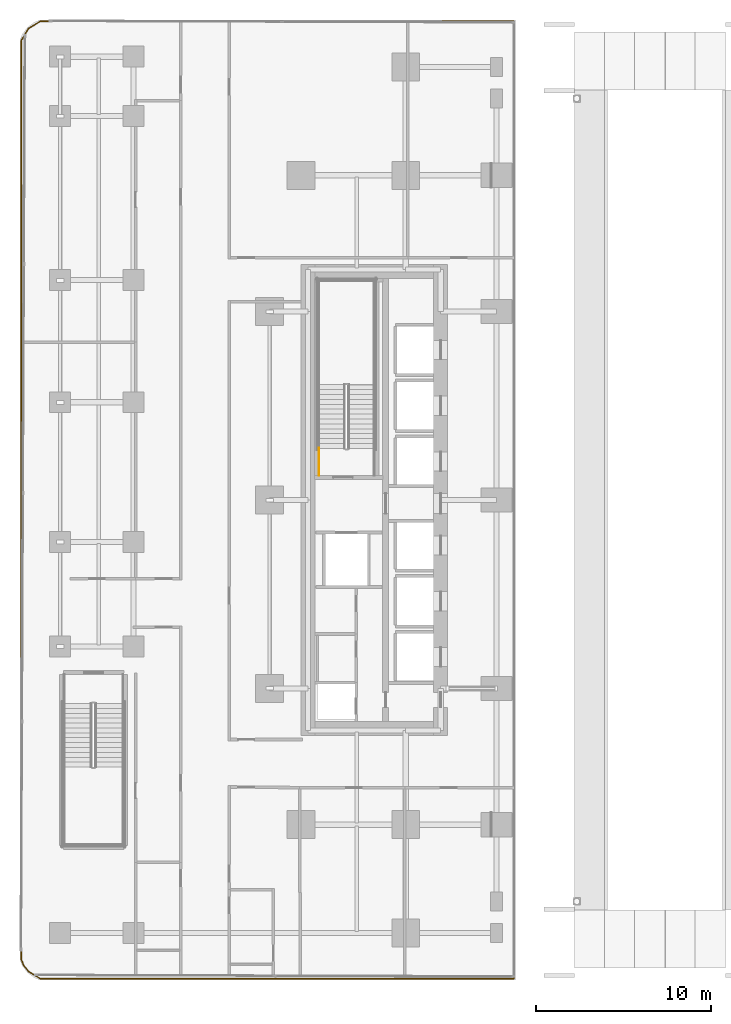
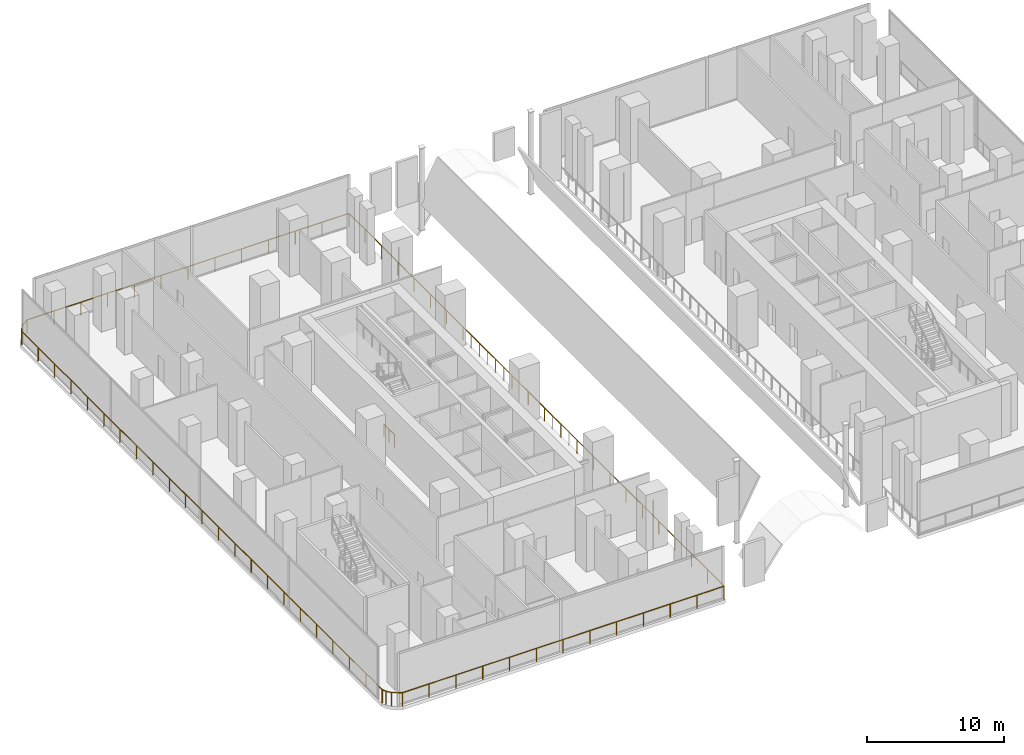
# One storey, part 22 of 31: 3 railings.
"""IFC4 building model written with IfcOpenShell, lengths in metres."""

from ifc_helpers import new_model, si_unit, direction, frame, origin, origin_2d, place, context, subcontext, project, spatial, circle, extrude, material, type_object, element, save


model = new_model("IFC4")

# Units and contexts
model_context = context("Model", 3, precision=1e-05, world=origin(), true_north=direction((0.0, 1.0)))
body_context = subcontext(model_context, "Body", "Model", "MODEL_VIEW")
ifc_project = project(units=[si_unit("LENGTHUNIT", "METRE"), si_unit("AREAUNIT", "SQUARE_METRE"), si_unit("VOLUMEUNIT", "CUBIC_METRE"), si_unit("PLANEANGLEUNIT", "RADIAN"), si_unit("MASSUNIT", "GRAM", prefix="KILO")], contexts=[model_context])

# Site, building, storey
site_placement = place(None, origin())
site = spatial("IfcSite", under=ifc_project, at=site_placement, CompositionType="ELEMENT")
building_placement = place(site_placement, origin())
building = spatial("IfcBuilding", under=site, at=building_placement, Name="Khairoan Windgate Tower", CompositionType="ELEMENT")
storey_placement = place(building_placement, frame((0.0, 0.0, 11.0)))
storey = spatial("IfcBuildingStorey", under=building, at=storey_placement, Name="L03", CompositionType="ELEMENT", Elevation=11.0)

# Railings
ifc_material_1 = material(Name="Anodised Bronze Aluminium 6063-T6", Category="aluminium")
railing_type_1 = type_object("IfcRailingType", Name="Aerodynamic Bronze-and-Glass Balustrade BAL-1200", PredefinedType="BALUSTRADE", material=ifc_material_1)
railing_1_placement = place(storey_placement, frame((-36.406982421875, 26.36474609375, 0.0)))
element("IfcRailing", 1, at=railing_1_placement, inside=storey, type_object=railing_type_1, Name="L03 W Wing Perimeter Edge Guardrail (1)", PredefinedType="BALUSTRADE", context=body_context, shape_type="SweptSolid", body=[
    extrude(circle(Radius=0.02392578125, at=origin_2d()), frame((0.0, 0.0, 1.17578125), z_axis=(0.515299177597, 0.857010360245, 0.0), x_axis=(-0.857010360245, 0.515299177597, 0.0)), (0.0, 0.0, 1.0), 0.759521484375),
    extrude(circle(Radius=0.02392578125, at=origin_2d()), frame((0.391357421875, 0.65087890625, 1.17578125), z_axis=(0.856915629106, 0.515456695169, 0.0), x_axis=(-0.515456695169, 0.856915629106, 0.0)), (0.0, 0.0, 1.0), 0.784423828125),
    extrude(circle(Radius=0.02392578125, at=origin_2d()), frame((1.0634765625, 1.05517578125, 1.17578125), z_axis=(1.0, 0.0, 0.0), x_axis=(0.0, 1.0, 0.0)), (0.0, 0.0, 1.0), 27.1435546875),
    extrude(circle(Radius=0.02392578125, at=origin_2d()), frame((28.20703125, 1.05517578125, 1.17578125), z_axis=(0.0, -1.0, 0.0), x_axis=(1.0, 0.0, 0.0)), (0.0, 0.0, 1.0), 54.81494140625),
    extrude(circle(Radius=0.02099609375, at=origin_2d()), origin(), (0.0, 0.0, 1.0), 1.15185546875),
    extrude(circle(Radius=0.02099609375, at=origin_2d()), frame((0.391357421875, 0.65087890625, 0.0)), (0.0, 0.0, 1.0), 1.15185546875),
    extrude(circle(Radius=0.02099609375, at=origin_2d()), frame((1.0634765625, 1.05517578125, 0.0)), (0.0, 0.0, 1.0), 1.15185546875),
    extrude(circle(Radius=0.02099609375, at=origin_2d()), frame((3.325439453125, 1.05517578125, 0.0)), (0.0, 0.0, 1.0), 1.15185546875),
    extrude(circle(Radius=0.02099609375, at=origin_2d()), frame((5.58740234375, 1.05517578125, 0.0)), (0.0, 0.0, 1.0), 1.15185546875),
    extrude(circle(Radius=0.02099609375, at=origin_2d()), frame((7.849365234375, 1.05517578125, 0.0)), (0.0, 0.0, 1.0), 1.15185546875),
    extrude(circle(Radius=0.02099609375, at=origin_2d()), frame((10.111328125, 1.05517578125, 0.0)), (0.0, 0.0, 1.0), 1.15185546875),
    extrude(circle(Radius=0.02099609375, at=origin_2d()), frame((12.373291015625, 1.05517578125, 0.0)), (0.0, 0.0, 1.0), 1.15185546875),
    extrude(circle(Radius=0.02099609375, at=origin_2d()), frame((14.63525390625, 1.05517578125, 0.0)), (0.0, 0.0, 1.0), 1.15185546875),
    extrude(circle(Radius=0.02099609375, at=origin_2d()), frame((16.897216796875, 1.05517578125, 0.0)), (0.0, 0.0, 1.0), 1.15185546875),
    extrude(circle(Radius=0.02099609375, at=origin_2d()), frame((19.1591796875, 1.05517578125, 0.0)), (0.0, 0.0, 1.0), 1.15185546875),
    extrude(circle(Radius=0.02099609375, at=origin_2d()), frame((21.421142578125, 1.05517578125, 0.0)), (0.0, 0.0, 1.0), 1.15185546875),
    extrude(circle(Radius=0.02099609375, at=origin_2d()), frame((23.68310546875, 1.05517578125, 0.0)), (0.0, 0.0, 1.0), 1.15185546875),
    extrude(circle(Radius=0.02099609375, at=origin_2d()), frame((25.945068359375, 1.05517578125, 0.0)), (0.0, 0.0, 1.0), 1.15185546875),
    extrude(circle(Radius=0.02099609375, at=origin_2d()), frame((28.20703125, 1.05517578125, 0.0)), (0.0, 0.0, 1.0), 1.15185546875),
    extrude(circle(Radius=0.02099609375, at=origin_2d()), frame((28.20703125, -1.328125, 0.0)), (0.0, 0.0, 1.0), 1.15185546875),
    extrude(circle(Radius=0.02099609375, at=origin_2d()), frame((28.20703125, -3.71142578125, 0.0)), (0.0, 0.0, 1.0), 1.15185546875),
    extrude(circle(Radius=0.02099609375, at=origin_2d()), frame((28.20703125, -6.094482421875, 0.0)), (0.0, 0.0, 1.0), 1.15185546875),
    extrude(circle(Radius=0.02099609375, at=origin_2d()), frame((28.20703125, -8.477783203125, 0.0)), (0.0, 0.0, 1.0), 1.15185546875),
    extrude(circle(Radius=0.02099609375, at=origin_2d()), frame((28.20703125, -10.861083984375, 0.0)), (0.0, 0.0, 1.0), 1.15185546875),
    extrude(circle(Radius=0.02099609375, at=origin_2d()), frame((28.20703125, -13.244384765625, 0.0)), (0.0, 0.0, 1.0), 1.15185546875),
    extrude(circle(Radius=0.02099609375, at=origin_2d()), frame((28.20703125, -15.627685546875, 0.0)), (0.0, 0.0, 1.0), 1.15185546875),
    extrude(circle(Radius=0.02099609375, at=origin_2d()), frame((28.20703125, -18.010986328125, 0.0)), (0.0, 0.0, 1.0), 1.15185546875),
    extrude(circle(Radius=0.02099609375, at=origin_2d()), frame((28.20703125, -20.39404296875, 0.0)), (0.0, 0.0, 1.0), 1.15185546875),
    extrude(circle(Radius=0.02099609375, at=origin_2d()), frame((28.20703125, -22.77734375, 0.0)), (0.0, 0.0, 1.0), 1.15185546875),
    extrude(circle(Radius=0.02099609375, at=origin_2d()), frame((28.20703125, -25.16064453125, 0.0)), (0.0, 0.0, 1.0), 1.15185546875),
    extrude(circle(Radius=0.02099609375, at=origin_2d()), frame((28.20703125, -27.5439453125, 0.0)), (0.0, 0.0, 1.0), 1.15185546875),
    extrude(circle(Radius=0.02099609375, at=origin_2d()), frame((28.20703125, -29.92724609375, 0.0)), (0.0, 0.0, 1.0), 1.15185546875),
    extrude(circle(Radius=0.02099609375, at=origin_2d()), frame((28.20703125, -32.310546875, 0.0)), (0.0, 0.0, 1.0), 1.15185546875),
    extrude(circle(Radius=0.02099609375, at=origin_2d()), frame((28.20703125, -34.693603515625, 0.0)), (0.0, 0.0, 1.0), 1.15185546875),
    extrude(circle(Radius=0.02099609375, at=origin_2d()), frame((28.20703125, -37.076904296875, 0.0)), (0.0, 0.0, 1.0), 1.15185546875),
    extrude(circle(Radius=0.02099609375, at=origin_2d()), frame((28.20703125, -39.460205078125, 0.0)), (0.0, 0.0, 1.0), 1.15185546875),
    extrude(circle(Radius=0.02099609375, at=origin_2d()), frame((28.20703125, -41.843505859375, 0.0)), (0.0, 0.0, 1.0), 1.15185546875),
    extrude(circle(Radius=0.02099609375, at=origin_2d()), frame((28.20703125, -44.226806640625, 0.0)), (0.0, 0.0, 1.0), 1.15185546875),
    extrude(circle(Radius=0.02099609375, at=origin_2d()), frame((28.20703125, -46.610107421875, 0.0)), (0.0, 0.0, 1.0), 1.15185546875),
    extrude(circle(Radius=0.02099609375, at=origin_2d()), frame((28.20703125, -48.9931640625, 0.0)), (0.0, 0.0, 1.0), 1.15185546875),
    extrude(circle(Radius=0.02099609375, at=origin_2d()), frame((28.20703125, -51.37646484375, 0.0)), (0.0, 0.0, 1.0), 1.15185546875),
    extrude(circle(Radius=0.02099609375, at=origin_2d()), frame((28.20703125, -53.759765625, 0.0)), (0.0, 0.0, 1.0), 1.15185546875),
])
railing_2_placement = place(storey_placement, frame((-8.22509765625, -27.419921875, 0.0)))
element("IfcRailing", 2, at=railing_2_placement, inside=storey, type_object=railing_type_1, Name="L03 W Wing Perimeter Edge Guardrail (2)", PredefinedType="BALUSTRADE", context=body_context, shape_type="SweptSolid", body=[
    extrude(circle(Radius=0.02392578125, at=origin_2d()), frame((0.0, 0.0, 1.17578125), z_axis=(-1.0, 0.0, 0.0), x_axis=(0.0, -1.0, 0.0)), (0.0, 0.0, 1.0), 27.118408203125),
    extrude(circle(Radius=0.02392578125, at=origin_2d()), frame((-27.118408203125, 0.0, 1.17578125), z_axis=(-0.856915629106, 0.515456695169, 0.0), x_axis=(-0.515456695169, -0.856915629106, 0.0)), (0.0, 0.0, 1.0), 0.784423828125),
    extrude(circle(Radius=0.02392578125, at=origin_2d()), frame((-27.79052734375, 0.404296875, 1.17578125), z_axis=(-0.608842674685, 0.793290991681, 0.0), x_axis=(-0.793290991681, -0.608842674685, 0.0)), (0.0, 0.0, 1.0), 0.44873046875),
    extrude(circle(Radius=0.02392578125, at=origin_2d()), frame((-28.063720703125, 0.76025390625, 1.17578125), z_axis=(-0.383044713365, 0.923729802249, 0.0), x_axis=(-0.923729802249, -0.383044713365, 0.0)), (0.0, 0.0, 1.0), 0.34228515625),
    extrude(circle(Radius=0.02392578125, at=origin_2d()), frame((-28.19482421875, 1.076416015625, 1.17578125), z_axis=(0.0, 1.0, 0.0), x_axis=(-1.0, 0.0, 0.0)), (0.0, 0.0, 1.0), 52.661865234375),
    extrude(circle(Radius=0.02099609375, at=origin_2d()), origin(), (0.0, 0.0, 1.0), 1.15185546875),
    extrude(circle(Radius=0.02099609375, at=origin_2d()), frame((-2.259765625, 0.0, 0.0)), (0.0, 0.0, 1.0), 1.15185546875),
    extrude(circle(Radius=0.02099609375, at=origin_2d()), frame((-4.519775390625, 0.0, 0.0)), (0.0, 0.0, 1.0), 1.15185546875),
    extrude(circle(Radius=0.02099609375, at=origin_2d()), frame((-6.779541015625, 0.0, 0.0)), (0.0, 0.0, 1.0), 1.15185546875),
    extrude(circle(Radius=0.02099609375, at=origin_2d()), frame((-9.03955078125, 0.0, 0.0)), (0.0, 0.0, 1.0), 1.15185546875),
    extrude(circle(Radius=0.02099609375, at=origin_2d()), frame((-11.29931640625, 0.0, 0.0)), (0.0, 0.0, 1.0), 1.15185546875),
    extrude(circle(Radius=0.02099609375, at=origin_2d()), frame((-13.55908203125, 0.0, 0.0)), (0.0, 0.0, 1.0), 1.15185546875),
    extrude(circle(Radius=0.02099609375, at=origin_2d()), frame((-15.819091796875, 0.0, 0.0)), (0.0, 0.0, 1.0), 1.15185546875),
    extrude(circle(Radius=0.02099609375, at=origin_2d()), frame((-18.078857421875, 0.0, 0.0)), (0.0, 0.0, 1.0), 1.15185546875),
    extrude(circle(Radius=0.02099609375, at=origin_2d()), frame((-20.3388671875, 0.0, 0.0)), (0.0, 0.0, 1.0), 1.15185546875),
    extrude(circle(Radius=0.02099609375, at=origin_2d()), frame((-22.5986328125, 0.0, 0.0)), (0.0, 0.0, 1.0), 1.15185546875),
    extrude(circle(Radius=0.02099609375, at=origin_2d()), frame((-24.858642578125, 0.0, 0.0)), (0.0, 0.0, 1.0), 1.15185546875),
    extrude(circle(Radius=0.02099609375, at=origin_2d()), frame((-27.118408203125, 0.0, 0.0)), (0.0, 0.0, 1.0), 1.15185546875),
    extrude(circle(Radius=0.02099609375, at=origin_2d()), frame((-27.79052734375, 0.404296875, 0.0)), (0.0, 0.0, 1.0), 1.15185546875),
    extrude(circle(Radius=0.02099609375, at=origin_2d()), frame((-28.063720703125, 0.76025390625, 0.0)), (0.0, 0.0, 1.0), 1.15185546875),
    extrude(circle(Radius=0.02099609375, at=origin_2d()), frame((-28.19482421875, 1.076416015625, 0.0)), (0.0, 0.0, 1.0), 1.15185546875),
    extrude(circle(Radius=0.02099609375, at=origin_2d()), frame((-28.19482421875, 3.47021484375, 0.0)), (0.0, 0.0, 1.0), 1.15185546875),
    extrude(circle(Radius=0.02099609375, at=origin_2d()), frame((-28.19482421875, 5.86376953125, 0.0)), (0.0, 0.0, 1.0), 1.15185546875),
    extrude(circle(Radius=0.02099609375, at=origin_2d()), frame((-28.19482421875, 8.257568359375, 0.0)), (0.0, 0.0, 1.0), 1.15185546875),
    extrude(circle(Radius=0.02099609375, at=origin_2d()), frame((-28.19482421875, 10.6513671875, 0.0)), (0.0, 0.0, 1.0), 1.15185546875),
    extrude(circle(Radius=0.02099609375, at=origin_2d()), frame((-28.19482421875, 13.044921875, 0.0)), (0.0, 0.0, 1.0), 1.15185546875),
    extrude(circle(Radius=0.02099609375, at=origin_2d()), frame((-28.19482421875, 15.438720703125, 0.0)), (0.0, 0.0, 1.0), 1.15185546875),
    extrude(circle(Radius=0.02099609375, at=origin_2d()), frame((-28.19482421875, 17.83251953125, 0.0)), (0.0, 0.0, 1.0), 1.15185546875),
    extrude(circle(Radius=0.02099609375, at=origin_2d()), frame((-28.19482421875, 20.22607421875, 0.0)), (0.0, 0.0, 1.0), 1.15185546875),
    extrude(circle(Radius=0.02099609375, at=origin_2d()), frame((-28.19482421875, 22.619873046875, 0.0)), (0.0, 0.0, 1.0), 1.15185546875),
    extrude(circle(Radius=0.02099609375, at=origin_2d()), frame((-28.19482421875, 25.013671875, 0.0)), (0.0, 0.0, 1.0), 1.15185546875),
    extrude(circle(Radius=0.02099609375, at=origin_2d()), frame((-28.19482421875, 27.4072265625, 0.0)), (0.0, 0.0, 1.0), 1.15185546875),
    extrude(circle(Radius=0.02099609375, at=origin_2d()), frame((-28.19482421875, 29.801025390625, 0.0)), (0.0, 0.0, 1.0), 1.15185546875),
    extrude(circle(Radius=0.02099609375, at=origin_2d()), frame((-28.19482421875, 32.19482421875, 0.0)), (0.0, 0.0, 1.0), 1.15185546875),
    extrude(circle(Radius=0.02099609375, at=origin_2d()), frame((-28.19482421875, 34.588623046875, 0.0)), (0.0, 0.0, 1.0), 1.15185546875),
    extrude(circle(Radius=0.02099609375, at=origin_2d()), frame((-28.19482421875, 36.982177734375, 0.0)), (0.0, 0.0, 1.0), 1.15185546875),
    extrude(circle(Radius=0.02099609375, at=origin_2d()), frame((-28.19482421875, 39.3759765625, 0.0)), (0.0, 0.0, 1.0), 1.15185546875),
    extrude(circle(Radius=0.02099609375, at=origin_2d()), frame((-28.19482421875, 41.769775390625, 0.0)), (0.0, 0.0, 1.0), 1.15185546875),
    extrude(circle(Radius=0.02099609375, at=origin_2d()), frame((-28.19482421875, 44.163330078125, 0.0)), (0.0, 0.0, 1.0), 1.15185546875),
    extrude(circle(Radius=0.02099609375, at=origin_2d()), frame((-28.19482421875, 46.55712890625, 0.0)), (0.0, 0.0, 1.0), 1.15185546875),
    extrude(circle(Radius=0.02099609375, at=origin_2d()), frame((-28.19482421875, 48.950927734375, 0.0)), (0.0, 0.0, 1.0), 1.15185546875),
    extrude(circle(Radius=0.02099609375, at=origin_2d()), frame((-28.19482421875, 51.344482421875, 0.0)), (0.0, 0.0, 1.0), 1.15185546875),
    extrude(circle(Radius=0.02099609375, at=origin_2d()), frame((-28.19482421875, 53.73828125, 0.0)), (0.0, 0.0, 1.0), 1.15185546875),
])
ifc_material_2 = material(Name="Steel S355", Category="steel")
railing_type_2 = type_object("IfcRailingType", Name="Stairwell Safety Guardrail SGR-1150", PredefinedType="GUARDRAIL", material=ifc_material_2)
railing_3_placement = place(storey_placement, frame((-19.3701171875, 1.39990234375, 0.0)))
element("IfcRailing", 3, at=railing_3_placement, inside=storey, type_object=railing_type_2, Name="L03 ST2 stair guard 9", PredefinedType="GUARDRAIL", context=body_context, shape_type="SweptSolid", body=[
    extrude(circle(Radius=0.02392578125, at=origin_2d()), frame((0.0, 0.0, 1.1259765625), z_axis=(0.0, 1.0, 0.0), x_axis=(-1.0, 0.0, 0.0)), (0.0, 0.0, 1.0), 1.56005859375),
    extrude(circle(Radius=0.02099609375, at=origin_2d()), origin(), (0.0, 0.0, 1.0), 1.101806640625),
    extrude(circle(Radius=0.02099609375, at=origin_2d()), frame((0.0, 0.780029296875, 0.0)), (0.0, 0.0, 1.0), 1.101806640625),
    extrude(circle(Radius=0.02099609375, at=origin_2d()), frame((0.0, 1.56005859375, 0.0)), (0.0, 0.0, 1.0), 1.101806640625),
])

save(model, "model.ifc")
